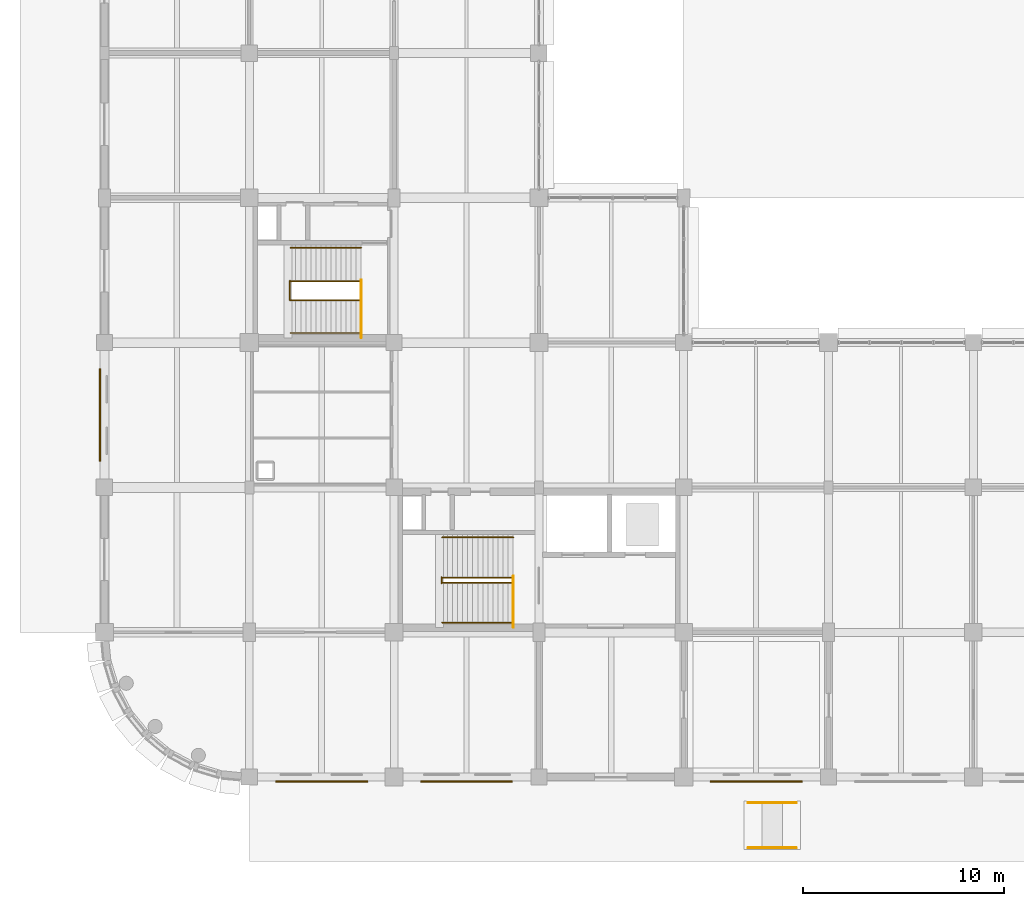
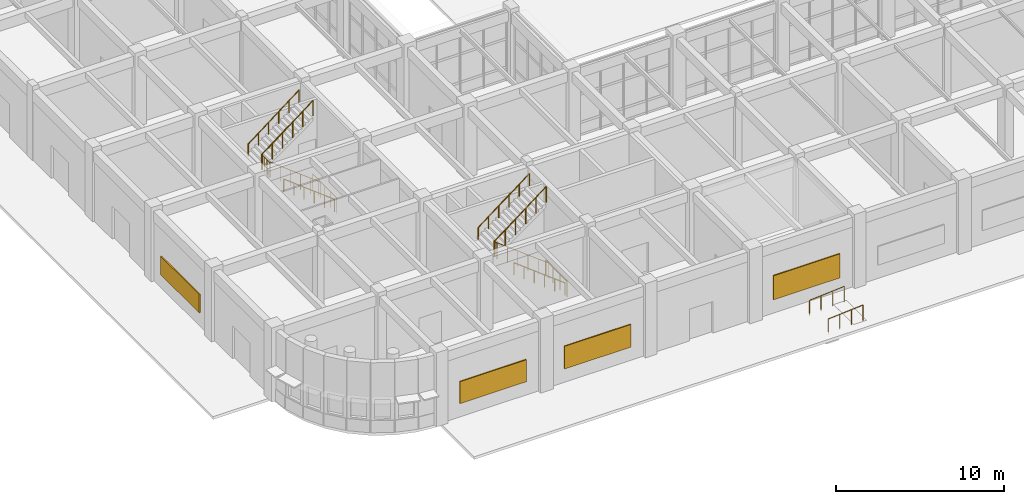
# One storey, part 151 of 160: 14 railings, 4 shading devices.
"""IFC4 building model written with IfcOpenShell, lengths in metres."""

from ifc_helpers import new_model, si_unit, direction, frame, origin, origin_2d, place, context, subcontext, project, spatial, rectangle, circle, extrude, material, layer, layer_set, type_object, element, save


model = new_model("IFC4")

# Units and contexts
model_context = context("Model", 3, precision=1e-05, world=origin(), true_north=direction((0.0, 1.0)))
body_context = subcontext(model_context, "Body", "Model", "MODEL_VIEW")
ifc_project = project(units=[si_unit("LENGTHUNIT", "METRE"), si_unit("AREAUNIT", "SQUARE_METRE"), si_unit("VOLUMEUNIT", "CUBIC_METRE"), si_unit("PLANEANGLEUNIT", "RADIAN"), si_unit("MASSUNIT", "GRAM", prefix="KILO")], contexts=[model_context])

# Site, building, storey
site_placement = place(None, origin())
site = spatial("IfcSite", under=ifc_project, at=site_placement, CompositionType="ELEMENT")
building_placement = place(site_placement, origin())
building = spatial("IfcBuilding", under=site, at=building_placement, Name="Thalmaran Polytechnic", CompositionType="ELEMENT")
storey_placement = place(building_placement, origin())
storey = spatial("IfcBuildingStorey", under=building, at=storey_placement, Name="L00", CompositionType="ELEMENT", Elevation=0.0)

# Railings
ifc_material_1 = material(Name="Stainless steel 316", Category="steel")
railing_type_1 = type_object("IfcRailingType", Name="RL-GR01", PredefinedType="GUARDRAIL", material=ifc_material_1)
railing_1_placement = place(storey_placement, frame((20.330078125, 7.449951171875, 0.0)))
element("IfcRailing", 1, at=railing_1_placement, inside=storey, type_object=railing_type_1, Name="ST1 L00 Landing Edge Guardrail", PredefinedType="GUARDRAIL", context=body_context, shape_type="SweptSolid", body=[
    extrude(circle(Radius=0.02392578125, at=origin_2d()), frame((0.0, 0.0, 1.1259765625), z_axis=(0.0, 1.0, 0.0), x_axis=(-1.0, 0.0, 0.0)), (0.0, 0.0, 1.0), 2.530029296875),
    extrude(circle(Radius=0.02099609375, at=origin_2d()), origin(), (0.0, 0.0, 1.0), 1.101806640625),
    extrude(circle(Radius=0.02099609375, at=origin_2d()), frame((0.0, 0.84326171875, 0.0)), (0.0, 0.0, 1.0), 1.101806640625),
    extrude(circle(Radius=0.02099609375, at=origin_2d()), frame((0.0, 1.686767578125, 0.0)), (0.0, 0.0, 1.0), 1.101806640625),
    extrude(circle(Radius=0.02099609375, at=origin_2d()), frame((0.0, 2.530029296875, 0.0)), (0.0, 0.0, 1.0), 1.101806640625),
])
railing_2_placement = place(storey_placement, frame((20.320068359375, 9.659912109375, 0.0)))
element("IfcRailing", 2, at=railing_2_placement, inside=storey, type_object=railing_type_1, Name="ST1 L00 Lower Flight Guardrail", PredefinedType="GUARDRAIL", context=body_context, shape_type="SweptSolid", body=[
    extrude(circle(Radius=0.02392578125, at=origin_2d()), frame((0.0, 0.0, 1.1259765625), z_axis=(-0.793468160984, 0.0, 0.608611762542), x_axis=(0.0, -1.0, 0.0)), (0.0, 0.0, 1.0), 4.436279296875),
    extrude(circle(Radius=0.02099609375, at=origin_2d()), origin(), (0.0, 0.0, 1.0), 1.101806640625),
    extrude(circle(Radius=0.02099609375, at=origin_2d()), frame((-0.7041015625, 0.0, 0.5400390625)), (0.0, 0.0, 1.0), 1.101806640625),
    extrude(circle(Radius=0.02099609375, at=origin_2d()), frame((-1.407958984375, 0.0, 1.080078125)), (0.0, 0.0, 1.0), 1.101806640625),
    extrude(circle(Radius=0.02099609375, at=origin_2d()), frame((-2.112060546875, 0.0, 1.619873046875)), (0.0, 0.0, 1.0), 1.101806640625),
    extrude(circle(Radius=0.02099609375, at=origin_2d()), frame((-2.81591796875, 0.0, 2.159912109375)), (0.0, 0.0, 1.0), 1.101806640625),
    extrude(circle(Radius=0.02099609375, at=origin_2d()), frame((-3.52001953125, 0.0, 2.699951171875)), (0.0, 0.0, 1.0), 1.101806640625),
])
railing_3_placement = place(storey_placement, frame((16.760009765625, 9.639892578125, 2.699951171875)))
element("IfcRailing", 3, at=railing_3_placement, inside=storey, type_object=railing_type_1, Name="ST1 L00 Half-Landing Well Guardrail", PredefinedType="GUARDRAIL", context=body_context, shape_type="SweptSolid", body=[
    extrude(circle(Radius=0.02392578125, at=origin_2d()), frame((0.0, 0.0, 1.1259765625), z_axis=(0.0, 1.0, 0.0), x_axis=(-1.0, 0.0, 0.0)), (0.0, 0.0, 1.0), 0.300048828125),
    extrude(circle(Radius=0.02099609375, at=origin_2d()), origin(), (0.0, 0.0, 1.0), 1.101806640625),
    extrude(circle(Radius=0.02099609375, at=origin_2d()), frame((0.0, 0.300048828125, 0.0)), (0.0, 0.0, 1.0), 1.101806640625),
])
railing_4_placement = place(storey_placement, frame((16.800048828125, 9.919921875, 2.699951171875)))
element("IfcRailing", 4, at=railing_4_placement, inside=storey, type_object=railing_type_1, Name="ST1 L00 Upper Flight Guardrail", PredefinedType="GUARDRAIL", context=body_context, shape_type="SweptSolid", body=[
    extrude(circle(Radius=0.02392578125, at=origin_2d()), frame((0.0, 0.0, 1.1259765625), z_axis=(0.793468160984, 0.0, 0.608611762542), x_axis=(0.0, 1.0, 0.0)), (0.0, 0.0, 1.0), 4.436279296875),
    extrude(circle(Radius=0.02099609375, at=origin_2d()), origin(), (0.0, 0.0, 1.0), 1.101806640625),
    extrude(circle(Radius=0.02099609375, at=origin_2d()), frame((0.7041015625, 0.0, 0.5400390625)), (0.0, 0.0, 1.0), 1.101806640625),
    extrude(circle(Radius=0.02099609375, at=origin_2d()), frame((1.407958984375, 0.0, 1.080078125)), (0.0, 0.0, 1.0), 1.101806640625),
    extrude(circle(Radius=0.02099609375, at=origin_2d()), frame((2.112060546875, 0.0, 1.619873046875)), (0.0, 0.0, 1.0), 1.101806640625),
    extrude(circle(Radius=0.02099609375, at=origin_2d()), frame((2.81591796875, 0.0, 2.159912109375)), (0.0, 0.0, 1.0), 1.101806640625),
    extrude(circle(Radius=0.02099609375, at=origin_2d()), frame((3.52001953125, 0.0, 2.699951171875)), (0.0, 0.0, 1.0), 1.101806640625),
])
railing_5_placement = place(storey_placement, frame((12.77001953125, 21.85009765625, 0.0)))
element("IfcRailing", 5, at=railing_5_placement, inside=storey, type_object=railing_type_1, Name="ST3 L00 Landing Edge Guardrail", PredefinedType="GUARDRAIL", context=body_context, shape_type="SweptSolid", body=[
    extrude(circle(Radius=0.02392578125, at=origin_2d()), frame((0.0, 0.0, 1.1259765625), z_axis=(0.0, 1.0, 0.0), x_axis=(-1.0, 0.0, 0.0)), (0.0, 0.0, 1.0), 2.869873046875),
    extrude(circle(Radius=0.02099609375, at=origin_2d()), origin(), (0.0, 0.0, 1.0), 1.101806640625),
    extrude(circle(Radius=0.02099609375, at=origin_2d()), frame((0.0, 0.717529296875, 0.0)), (0.0, 0.0, 1.0), 1.101806640625),
    extrude(circle(Radius=0.02099609375, at=origin_2d()), frame((0.0, 1.43505859375, 0.0)), (0.0, 0.0, 1.0), 1.101806640625),
    extrude(circle(Radius=0.02099609375, at=origin_2d()), frame((0.0, 2.15234375, 0.0)), (0.0, 0.0, 1.0), 1.101806640625),
    extrude(circle(Radius=0.02099609375, at=origin_2d()), frame((0.0, 2.869873046875, 0.0)), (0.0, 0.0, 1.0), 1.101806640625),
])
railing_6_placement = place(storey_placement, frame((12.760009765625, 23.719970703125, 0.0)))
element("IfcRailing", 6, at=railing_6_placement, inside=storey, type_object=railing_type_1, Name="ST3 L00 Lower Flight Guardrail", PredefinedType="GUARDRAIL", context=body_context, shape_type="SweptSolid", body=[
    extrude(circle(Radius=0.02392578125, at=origin_2d()), frame((0.0, 0.0, 1.1259765625), z_axis=(-0.791787597706, 0.0, 0.610796529229), x_axis=(0.0, -1.0, 0.0)), (0.0, 0.0, 1.0), 4.42041015625),
    extrude(circle(Radius=0.02099609375, at=origin_2d()), origin(), (0.0, 0.0, 1.0), 1.101806640625),
    extrude(circle(Radius=0.02099609375, at=origin_2d()), frame((-0.699951171875, 0.0, 0.5400390625)), (0.0, 0.0, 1.0), 1.101806640625),
    extrude(circle(Radius=0.02099609375, at=origin_2d()), frame((-1.39990234375, 0.0, 1.080078125)), (0.0, 0.0, 1.0), 1.101806640625),
    extrude(circle(Radius=0.02099609375, at=origin_2d()), frame((-2.10009765625, 0.0, 1.619873046875)), (0.0, 0.0, 1.0), 1.101806640625),
    extrude(circle(Radius=0.02099609375, at=origin_2d()), frame((-2.800048828125, 0.0, 2.159912109375)), (0.0, 0.0, 1.0), 1.101806640625),
    extrude(circle(Radius=0.02099609375, at=origin_2d()), frame((-3.5, 0.0, 2.699951171875)), (0.0, 0.0, 1.0), 1.101806640625),
])
railing_7_placement = place(storey_placement, frame((9.219970703125, 23.699951171875, 2.699951171875)))
element("IfcRailing", 7, at=railing_7_placement, inside=storey, type_object=railing_type_1, Name="ST3 L00 Half-Landing Well Guardrail", PredefinedType="GUARDRAIL", context=body_context, shape_type="SweptSolid", body=[
    extrude(circle(Radius=0.02392578125, at=origin_2d()), frame((0.0, 0.0, 1.1259765625), z_axis=(0.0, 1.0, 0.0), x_axis=(-1.0, 0.0, 0.0)), (0.0, 0.0, 1.0), 0.97998046875),
    extrude(circle(Radius=0.02099609375, at=origin_2d()), origin(), (0.0, 0.0, 1.0), 1.101806640625),
    extrude(circle(Radius=0.02099609375, at=origin_2d()), frame((0.0, 0.32666015625, 0.0)), (0.0, 0.0, 1.0), 1.101806640625),
    extrude(circle(Radius=0.02099609375, at=origin_2d()), frame((0.0, 0.6533203125, 0.0)), (0.0, 0.0, 1.0), 1.101806640625),
    extrude(circle(Radius=0.02099609375, at=origin_2d()), frame((0.0, 0.97998046875, 0.0)), (0.0, 0.0, 1.0), 1.101806640625),
])
railing_8_placement = place(storey_placement, frame((9.260009765625, 24.659912109375, 2.699951171875)))
element("IfcRailing", 8, at=railing_8_placement, inside=storey, type_object=railing_type_1, Name="ST3 L00 Upper Flight Guardrail", PredefinedType="GUARDRAIL", context=body_context, shape_type="SweptSolid", body=[
    extrude(circle(Radius=0.02392578125, at=origin_2d()), frame((0.0, 0.0, 1.1259765625), z_axis=(0.791787597706, 0.0, 0.610796529229), x_axis=(0.0, 1.0, 0.0)), (0.0, 0.0, 1.0), 4.42041015625),
    extrude(circle(Radius=0.02099609375, at=origin_2d()), origin(), (0.0, 0.0, 1.0), 1.101806640625),
    extrude(circle(Radius=0.02099609375, at=origin_2d()), frame((0.699951171875, 0.0, 0.5400390625)), (0.0, 0.0, 1.0), 1.101806640625),
    extrude(circle(Radius=0.02099609375, at=origin_2d()), frame((1.39990234375, 0.0, 1.080078125)), (0.0, 0.0, 1.0), 1.101806640625),
    extrude(circle(Radius=0.02099609375, at=origin_2d()), frame((2.10009765625, 0.0, 1.619873046875)), (0.0, 0.0, 1.0), 1.101806640625),
    extrude(circle(Radius=0.02099609375, at=origin_2d()), frame((2.800048828125, 0.0, 2.159912109375)), (0.0, 0.0, 1.0), 1.101806640625),
    extrude(circle(Radius=0.02099609375, at=origin_2d()), frame((3.5, 0.0, 2.699951171875)), (0.0, 0.0, 1.0), 1.101806640625),
])
for number, where, name in (
    (9, (32.0, -3.52001953125, -0.179931640625), "Ramp Guardrail PED1-A"),
    (10, (32.0, -1.280029296875, -0.179931640625), "Ramp Guardrail PED1-B"),
):
    element("IfcRailing", number, at=place(storey_placement, frame(where)), inside=storey, type_object=railing_type_1, Name=name, PredefinedType="GUARDRAIL", context=body_context, shape_type="SweptSolid", body=[
        extrude(circle(Radius=0.02392578125, at=origin_2d()), frame((0.0, 0.0, 1.1259765625), z_axis=(0.997201201018, 0.0, 0.074764728906), x_axis=(0.0, 1.0, 0.0)), (0.0, 0.0, 1.0), 2.40673828125),
        extrude(circle(Radius=0.02099609375, at=origin_2d()), origin(), (0.0, 0.0, 1.0), 1.101806640625),
        extrude(circle(Radius=0.02099609375, at=origin_2d()), frame((0.800048828125, 0.0, 0.06005859375)), (0.0, 0.0, 1.0), 1.101806640625),
        extrude(circle(Radius=0.02099609375, at=origin_2d()), frame((1.599853515625, 0.0, 0.119873046875)), (0.0, 0.0, 1.0), 1.101806640625),
        extrude(circle(Radius=0.02099609375, at=origin_2d()), frame((2.39990234375, 0.0, 0.179931640625)), (0.0, 0.0, 1.0), 1.101806640625),
    ])
railing_type_2 = type_object("IfcRailingType", Name="RL-HR01", PredefinedType="HANDRAIL", material=ifc_material_1)
railing_9_placement = place(storey_placement, frame((20.320068359375, 7.679931640625, 0.0)))
element("IfcRailing", 11, at=railing_9_placement, inside=storey, type_object=railing_type_2, Name="ST1 L00 Flight 1 Handrail", PredefinedType="HANDRAIL", context=body_context, shape_type="SweptSolid", body=[
    extrude(circle(Radius=0.02392578125, at=origin_2d()), frame((0.0, 0.0, 0.8759765625), z_axis=(-0.793468160984, 0.0, 0.608611762542), x_axis=(0.0, -1.0, 0.0)), (0.0, 0.0, 1.0), 4.436279296875),
    extrude(circle(Radius=0.02099609375, at=origin_2d()), origin(), (0.0, 0.0, 1.0), 0.851806640625),
    extrude(circle(Radius=0.02099609375, at=origin_2d()), frame((-0.7041015625, 0.0, 0.5400390625)), (0.0, 0.0, 1.0), 0.851806640625),
    extrude(circle(Radius=0.02099609375, at=origin_2d()), frame((-1.407958984375, 0.0, 1.080078125)), (0.0, 0.0, 1.0), 0.851806640625),
    extrude(circle(Radius=0.02099609375, at=origin_2d()), frame((-2.112060546875, 0.0, 1.619873046875)), (0.0, 0.0, 1.0), 0.851806640625),
    extrude(circle(Radius=0.02099609375, at=origin_2d()), frame((-2.81591796875, 0.0, 2.159912109375)), (0.0, 0.0, 1.0), 0.851806640625),
    extrude(circle(Radius=0.02099609375, at=origin_2d()), frame((-3.52001953125, 0.0, 2.699951171875)), (0.0, 0.0, 1.0), 0.851806640625),
])
railing_10_placement = place(storey_placement, frame((16.800048828125, 11.919921875, 2.699951171875)))
element("IfcRailing", 12, at=railing_10_placement, inside=storey, type_object=railing_type_2, Name="ST1 L00 Flight 2 Handrail", PredefinedType="HANDRAIL", context=body_context, shape_type="SweptSolid", body=[
    extrude(circle(Radius=0.02392578125, at=origin_2d()), frame((0.0, 0.0, 0.8759765625), z_axis=(0.793468160984, 0.0, 0.608611762542), x_axis=(0.0, 1.0, 0.0)), (0.0, 0.0, 1.0), 4.436279296875),
    extrude(circle(Radius=0.02099609375, at=origin_2d()), origin(), (0.0, 0.0, 1.0), 0.851806640625),
    extrude(circle(Radius=0.02099609375, at=origin_2d()), frame((0.7041015625, 0.0, 0.5400390625)), (0.0, 0.0, 1.0), 0.851806640625),
    extrude(circle(Radius=0.02099609375, at=origin_2d()), frame((1.407958984375, 0.0, 1.080078125)), (0.0, 0.0, 1.0), 0.851806640625),
    extrude(circle(Radius=0.02099609375, at=origin_2d()), frame((2.112060546875, 0.0, 1.619873046875)), (0.0, 0.0, 1.0), 0.851806640625),
    extrude(circle(Radius=0.02099609375, at=origin_2d()), frame((2.81591796875, 0.0, 2.159912109375)), (0.0, 0.0, 1.0), 0.851806640625),
    extrude(circle(Radius=0.02099609375, at=origin_2d()), frame((3.52001953125, 0.0, 2.699951171875)), (0.0, 0.0, 1.0), 0.851806640625),
])
railing_11_placement = place(storey_placement, frame((12.760009765625, 22.080078125, 0.0)))
element("IfcRailing", 13, at=railing_11_placement, inside=storey, type_object=railing_type_2, Name="ST3 L00 Flight 1 Handrail", PredefinedType="HANDRAIL", context=body_context, shape_type="SweptSolid", body=[
    extrude(circle(Radius=0.02392578125, at=origin_2d()), frame((0.0, 0.0, 0.8759765625), z_axis=(-0.791787597706, 0.0, 0.610796529229), x_axis=(0.0, -1.0, 0.0)), (0.0, 0.0, 1.0), 4.42041015625),
    extrude(circle(Radius=0.02099609375, at=origin_2d()), origin(), (0.0, 0.0, 1.0), 0.851806640625),
    extrude(circle(Radius=0.02099609375, at=origin_2d()), frame((-0.699951171875, 0.0, 0.5400390625)), (0.0, 0.0, 1.0), 0.851806640625),
    extrude(circle(Radius=0.02099609375, at=origin_2d()), frame((-1.39990234375, 0.0, 1.080078125)), (0.0, 0.0, 1.0), 0.851806640625),
    extrude(circle(Radius=0.02099609375, at=origin_2d()), frame((-2.10009765625, 0.0, 1.619873046875)), (0.0, 0.0, 1.0), 0.851806640625),
    extrude(circle(Radius=0.02099609375, at=origin_2d()), frame((-2.800048828125, 0.0, 2.159912109375)), (0.0, 0.0, 1.0), 0.851806640625),
    extrude(circle(Radius=0.02099609375, at=origin_2d()), frame((-3.5, 0.0, 2.699951171875)), (0.0, 0.0, 1.0), 0.851806640625),
])
railing_12_placement = place(storey_placement, frame((9.260009765625, 26.320068359375, 2.699951171875)))
element("IfcRailing", 14, at=railing_12_placement, inside=storey, type_object=railing_type_2, Name="ST3 L00 Flight 2 Handrail", PredefinedType="HANDRAIL", context=body_context, shape_type="SweptSolid", body=[
    extrude(circle(Radius=0.02392578125, at=origin_2d()), frame((0.0, 0.0, 0.8759765625), z_axis=(0.791787597706, 0.0, 0.610796529229), x_axis=(0.0, 1.0, 0.0)), (0.0, 0.0, 1.0), 4.42041015625),
    extrude(circle(Radius=0.02099609375, at=origin_2d()), origin(), (0.0, 0.0, 1.0), 0.851806640625),
    extrude(circle(Radius=0.02099609375, at=origin_2d()), frame((0.699951171875, 0.0, 0.5400390625)), (0.0, 0.0, 1.0), 0.851806640625),
    extrude(circle(Radius=0.02099609375, at=origin_2d()), frame((1.39990234375, 0.0, 1.080078125)), (0.0, 0.0, 1.0), 0.851806640625),
    extrude(circle(Radius=0.02099609375, at=origin_2d()), frame((2.10009765625, 0.0, 1.619873046875)), (0.0, 0.0, 1.0), 0.851806640625),
    extrude(circle(Radius=0.02099609375, at=origin_2d()), frame((2.800048828125, 0.0, 2.159912109375)), (0.0, 0.0, 1.0), 0.851806640625),
    extrude(circle(Radius=0.02099609375, at=origin_2d()), frame((3.5, 0.0, 2.699951171875)), (0.0, 0.0, 1.0), 0.851806640625),
])

# Shading devices
ifc_material_2 = material(Name="Perforated anodised-bronze aluminium screen", Category="aluminium")
ifc_layer = layer(ifc_material_2, 0.080078125, Name="Perforated anodised-bronze aluminium screen")
ifc_layer_set = layer_set([ifc_layer], Name="Perforated anodised-bronze aluminium screen")
shading_device_type = type_object("IfcShadingDeviceType", Name="SH-JL01", PredefinedType="JALOUSIE", material=ifc_layer_set)
shading_device_1_placement = place(storey_placement, frame((-0.219970703125, 18.0, 1.02490234375), z_axis=(0.0, 0.0, 1.0), x_axis=(0.0, 1.0, 0.0)))
element("IfcShadingDevice", 15, at=shading_device_1_placement, inside=storey, type_object=shading_device_type, Name="Anodised-Bronze Mashrabiya Solar Screen L00-003", PredefinedType="JALOUSIE", context=body_context, shape_type="SweptSolid", body=[
    extrude(rectangle(XDim=4.600830078125, YDim=0.080078125, at=origin_2d()), origin(), (0.0, 0.0, 1.0), 1.35009765625),
])
shading_device_2_placement = place(storey_placement, frame((32.39990234375, -0.219970703125, 1.02490234375), z_axis=(0.0, 0.0, 1.0), x_axis=(-1.0, 0.0, 0.0)))
element("IfcShadingDevice", 16, at=shading_device_2_placement, inside=storey, type_object=shading_device_type, Name="Anodised-Bronze Mashrabiya Solar Screen L00-088", PredefinedType="JALOUSIE", context=body_context, shape_type="SweptSolid", body=[
    extrude(rectangle(XDim=4.572021484375, YDim=0.080078125, at=origin_2d()), origin(), (0.0, 0.0, 1.0), 1.75),
])
shading_device_3_placement = place(storey_placement, frame((18.0, -0.219970703125, 1.025146484375), z_axis=(0.0, 0.0, 1.0), x_axis=(-1.0, 0.0, 0.0)))
element("IfcShadingDevice", 17, at=shading_device_3_placement, inside=storey, type_object=shading_device_type, Name="Anodised-Bronze Mashrabiya Solar Screen L00-090", PredefinedType="JALOUSIE", context=body_context, shape_type="SweptSolid", body=[
    extrude(rectangle(XDim=4.572021484375, YDim=0.080078125, at=origin_2d()), origin(), (0.0, 0.0, 1.0), 1.64990234375),
])
shading_device_4_placement = place(storey_placement, frame((10.800048828125, -0.219970703125, 1.02490234375), z_axis=(0.0, 0.0, 1.0), x_axis=(-1.0, 0.0, 0.0)))
element("IfcShadingDevice", 18, at=shading_device_4_placement, inside=storey, type_object=shading_device_type, Name="Anodised-Bronze Mashrabiya Solar Screen L00-091", PredefinedType="JALOUSIE", context=body_context, shape_type="SweptSolid", body=[
    extrude(rectangle(XDim=4.572021484375, YDim=0.080078125, at=origin_2d()), origin(), (0.0, 0.0, 1.0), 1.60009765625),
])

save(model, "model.ifc")
